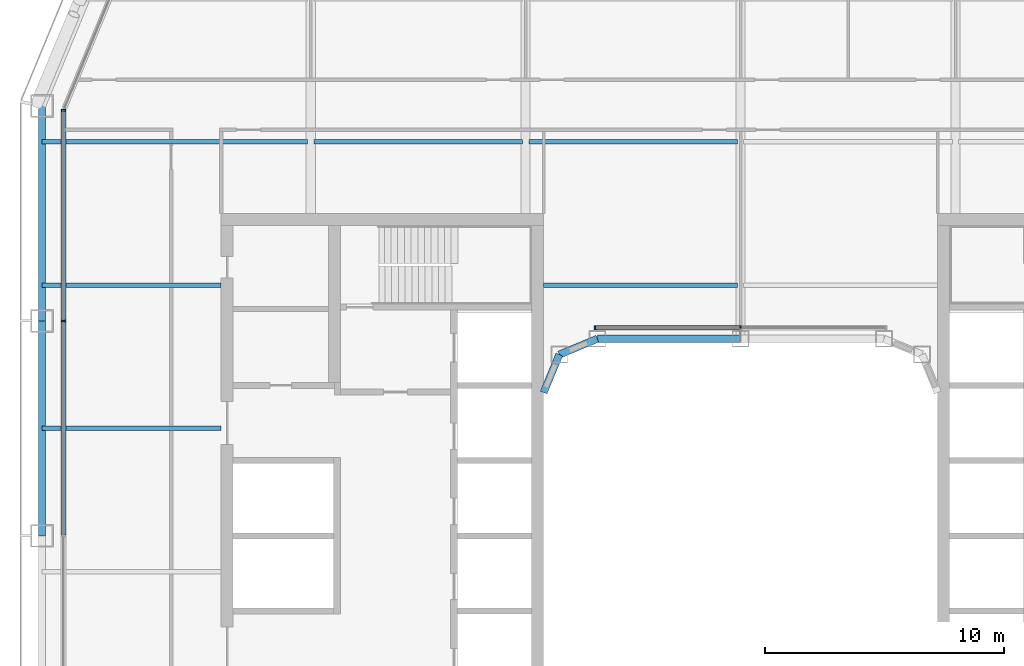
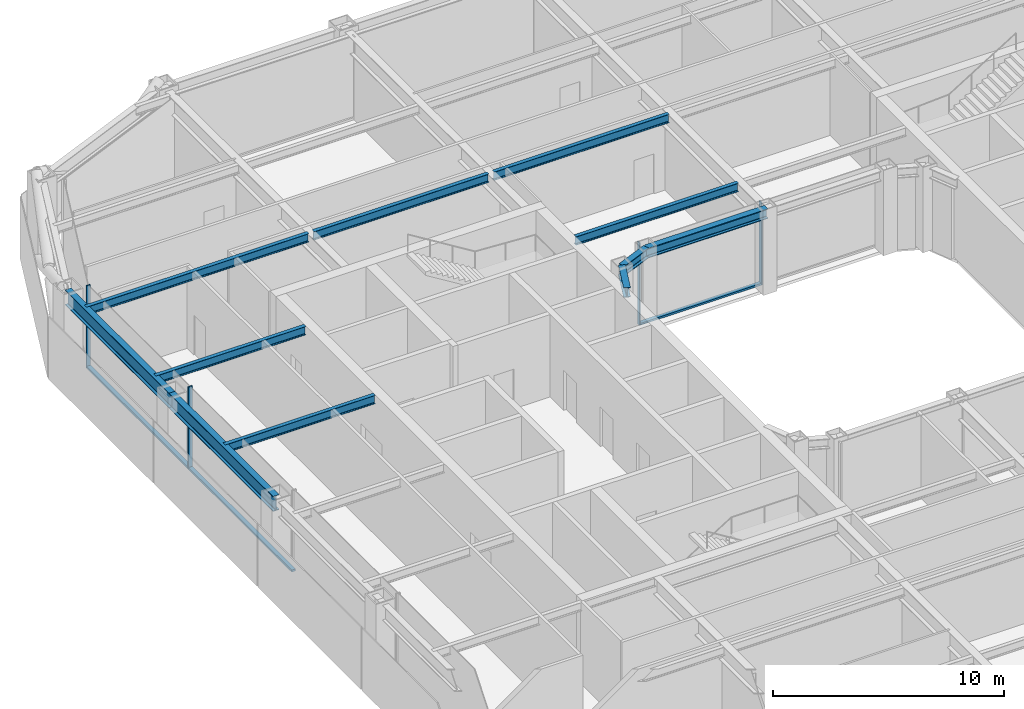
# One storey, part 6 of 21: 11 beams, 7 members, 2 elements without a shape of their own.
"""IFC4 building model written with IfcOpenShell, lengths in metres."""

from ifc_helpers import new_model, si_unit, direction, frame, origin, origin_2d, place, context, subcontext, project, spatial, rectangle, i_section, extrude, material, layer, layer_set, material_profile, profile_set, type_object, element, aggregate, save


model = new_model("IFC4")

# Units and contexts
model_context = context("Model", 3, precision=1e-05, world=origin(), true_north=direction((0.0, 1.0)))
body_context = subcontext(model_context, "Body", "Model", "MODEL_VIEW")
ifc_project = project(units=[si_unit("LENGTHUNIT", "METRE"), si_unit("AREAUNIT", "SQUARE_METRE"), si_unit("VOLUMEUNIT", "CUBIC_METRE"), si_unit("PLANEANGLEUNIT", "RADIAN"), si_unit("MASSUNIT", "GRAM", prefix="KILO")], contexts=[model_context])

# Site, building, storey
site_placement = place(None, origin())
site = spatial("IfcSite", under=ifc_project, at=site_placement, CompositionType="ELEMENT")
building_placement = place(site_placement, origin())
building = spatial("IfcBuilding", under=site, at=building_placement, Name="Siwar Civic Tower", CompositionType="ELEMENT")
storey_placement = place(building_placement, frame((0.0, 0.0, 104.699951171875)))
storey = spatial("IfcBuildingStorey", under=building, at=storey_placement, Name="L22", CompositionType="ELEMENT", Elevation=104.699951171875)

# Curtain wall, members
ifc_material_1 = material(Name="Aluminium and glass", Category="aluminium")
ifc_layer_1 = layer(ifc_material_1, 0.199951171875)
ifc_layer_set_1 = layer_set([ifc_layer_1], Name="Aluminium and glass")
curtain_wall_type_1 = type_object("IfcCurtainWallType", Name="ENV-CW-B", PredefinedType="NOTDEFINED", material=ifc_layer_set_1)
curtain_wall_1_placement = place(storey_placement, origin())
curtain_wall_1 = element("IfcCurtainWall", 1, at=curtain_wall_1_placement, inside=storey, type_object=curtain_wall_type_1, Name="Curtain wall B W", PredefinedType="NOTDEFINED")
ifc_material_2 = material(Name="Aluminium 6063-T6", Category="aluminium")
ifc_material_profile_1 = material_profile(ifc_material_2, rectangle(XDim=0.199951171875, YDim=0.06494140625, at=origin_2d()), Name="AL 200x65")
ifc_profile_set_1 = profile_set([ifc_material_profile_1], Name="Aluminium 6063-T6")
member_type_1 = type_object("IfcMemberType", Name="ENV-MULLION-B", PredefinedType="MULLION", material=ifc_profile_set_1)
member_1_placement = place(storey_placement, frame((-28.35009765625, 17.821044921875, 0.0), z_axis=(0.0, 0.0, 1.0), x_axis=(1.0, 0.0, 0.0)))
member_1 = element("IfcMember", 2, at=member_1_placement, type_object=member_type_1, Name="Mullion B W 1", PredefinedType="MULLION", context=body_context, shape_type="SweptSolid", body=[
    extrude(rectangle(XDim=0.199951171875, YDim=0.06494140625, at=origin_2d()), origin(), (0.0, 0.0, 1.0), 4.35009765625),
])
member_2_placement = place(storey_placement, frame((-28.35009765625, 9.0, 0.0), z_axis=(0.0, 0.0, 1.0), x_axis=(1.0, 0.0, 0.0)))
member_2 = element("IfcMember", 3, at=member_2_placement, type_object=member_type_1, Name="Mullion B W 2", PredefinedType="MULLION", context=body_context, shape_type="SweptSolid", body=[
    extrude(rectangle(XDim=0.199951171875, YDim=0.06494140625, at=origin_2d()), origin(), (0.0, 0.0, 1.0), 4.35009765625),
])

ifc_material_3 = material(Name="Aluminium and glass", Category="aluminium")
ifc_layer_2 = layer(ifc_material_3, 0.179931640625)
ifc_layer_set_2 = layer_set([ifc_layer_2], Name="Aluminium and glass")
curtain_wall_type_2 = type_object("IfcCurtainWallType", Name="ENV-CW-W", PredefinedType="NOTDEFINED", material=ifc_layer_set_2)
curtain_wall_2_placement = place(storey_placement, origin())
curtain_wall_2 = element("IfcCurtainWall", 4, at=curtain_wall_2_placement, inside=storey, type_object=curtain_wall_type_2, Name="Curtain wall W WN", PredefinedType="NOTDEFINED")
ifc_material_4 = material(Name="Aluminium 6063-T6", Category="aluminium")
ifc_material_profile_2 = material_profile(ifc_material_4, rectangle(XDim=0.179931640625, YDim=0.06005859375, at=origin_2d()), Name="AL 180x60")
ifc_profile_set_2 = profile_set([ifc_material_profile_2], Name="Aluminium 6063-T6")
member_type_2 = type_object("IfcMemberType", Name="ENV-MULLION-W", PredefinedType="MULLION", material=ifc_profile_set_2)
member_3_placement = place(storey_placement, frame((0.0, 8.7099609375, 0.0), z_axis=(0.0, 0.0, 1.0), x_axis=(0.0, -1.0, 0.0)))
member_3 = element("IfcMember", 5, at=member_3_placement, type_object=member_type_2, Name="Mullion W WN 2", PredefinedType="MULLION", context=body_context, shape_type="SweptSolid", body=[
    extrude(rectangle(XDim=0.179931640625, YDim=0.06005859375, at=origin_2d()), origin(), (0.0, 0.0, 1.0), 4.35009765625),
])
member_4_placement = place(storey_placement, frame((-6.091552734375, 8.7099609375, 0.0), z_axis=(0.0, 0.0, 1.0), x_axis=(0.0, -1.0, 0.0)))
member_4 = element("IfcMember", 6, at=member_4_placement, type_object=member_type_2, Name="Mullion W WN 3", PredefinedType="MULLION", context=body_context, shape_type="SweptSolid", body=[
    extrude(rectangle(XDim=0.179931640625, YDim=0.06005859375, at=origin_2d()), origin(), (0.0, 0.0, 1.0), 4.35009765625),
])

# Member
ifc_material_5 = material(Name="Aluminium 6063-T6", Category="aluminium")
ifc_material_profile_3 = material_profile(ifc_material_5, rectangle(XDim=0.199951171875, YDim=0.110107421875, at=origin_2d()), Name="AL 200x110")
ifc_profile_set_3 = profile_set([ifc_material_profile_3], Name="Aluminium 6063-T6")
member_type_3 = type_object("IfcMemberType", Name="ENV-TRANSOM-B", PredefinedType="USERDEFINED", material=ifc_profile_set_3)
member_5_placement = place(storey_placement, frame((-28.35009765625, 17.78857421875, 0.054931640625), z_axis=(0.0, -1.0, 0.0), x_axis=(1.0, 0.0, 0.0)))
member_5 = element("IfcMember", 7, at=member_5_placement, type_object=member_type_3, Name="Transom B W 1", ObjectType="TRANSOM", PredefinedType="USERDEFINED", context=body_context, shape_type="SweptSolid", body=[
    extrude(rectangle(XDim=0.199951171875, YDim=0.110107421875, at=origin_2d()), origin(), (0.0, 0.0, 1.0), 8.756103515625),
])

member_6_placement = place(storey_placement, frame((-28.35009765625, 8.967529296875, 0.054931640625), z_axis=(0.0, -1.0, 0.0), x_axis=(1.0, 0.0, 0.0)))
member_6 = element("IfcMember", 8, at=member_6_placement, type_object=member_type_3, Name="Transom B W 2", ObjectType="TRANSOM", PredefinedType="USERDEFINED", context=body_context, shape_type="SweptSolid", body=[
    extrude(rectangle(XDim=0.199951171875, YDim=0.110107421875, at=origin_2d()), origin(), (0.0, 0.0, 1.0), 8.93505859375),
])

aggregate(curtain_wall_1, [member_1, member_2, member_5, member_6])

ifc_material_6 = material(Name="Aluminium 6063-T6", Category="aluminium")
ifc_material_profile_4 = material_profile(ifc_material_6, rectangle(XDim=0.179931640625, YDim=0.10009765625, at=origin_2d()), Name="AL 180x100")
ifc_profile_set_4 = profile_set([ifc_material_profile_4], Name="Aluminium 6063-T6")
member_type_4 = type_object("IfcMemberType", Name="ENV-TRANSOM-W", PredefinedType="USERDEFINED", material=ifc_profile_set_4)
member_7_placement = place(storey_placement, frame((-0.030029296875, 8.7099609375, 0.050048828125), z_axis=(-1.0, 0.0, 0.0), x_axis=(0.0, -1.0, 0.0)))
member_7 = element("IfcMember", 9, at=member_7_placement, type_object=member_type_4, Name="Transom W WN 2", ObjectType="TRANSOM", PredefinedType="USERDEFINED", context=body_context, shape_type="SweptSolid", body=[
    extrude(rectangle(XDim=0.179931640625, YDim=0.10009765625, at=origin_2d()), origin(), (0.0, 0.0, 1.0), 6.031494140625),
])

aggregate(curtain_wall_2, [member_3, member_4, member_7])

# Beams
ifc_material_7 = material(Name="Steel S355", Category="steel")
ifc_material_profile_5 = material_profile(ifc_material_7, i_section(OverallWidth=0.18994140625, OverallDepth=0.449951171875, WebThickness=0.009521484375, FlangeThickness=0.0146484375, FilletRadius=0.02099609375, at=origin_2d()), Name="IPE450")
ifc_profile_set_5 = profile_set([ifc_material_profile_5], Name="Steel S355")
beam_type_1 = type_object("IfcBeamType", Name="STR-FB-IPE450", PredefinedType="JOIST", material=ifc_profile_set_5)
for number, where, z_axis, x_axis, name in (
    (10, (-29.25, 4.5, 4.125), (1.0, 0.0, 0.0), (0.0, 1.0, 0.0), "L22/bm/F025"),
    (11, (-29.25, 10.5, 4.125), (1.0, 0.0, 0.0), (0.0, 1.0, 0.0), "L22/bm/F027"),
):
    element("IfcBeam", number, at=place(storey_placement, frame(where, z_axis=z_axis, x_axis=x_axis)), inside=storey, type_object=beam_type_1, Name=name, PredefinedType="JOIST", context=body_context, shape_type="SweptSolid", body=[
        extrude(i_section(OverallWidth=0.18994140625, OverallDepth=0.449951171875, WebThickness=0.009521484375, FlangeThickness=0.0146484375, FilletRadius=0.02099609375, at=origin_2d()), origin(), (0.0, 0.0, 1.0), 7.5),
    ])
beam_1_placement = place(storey_placement, frame((-8.25, 10.5, 4.125), z_axis=(1.0, 0.0, 0.0), x_axis=(0.0, 1.0, 0.0)))
element("IfcBeam", 12, at=beam_1_placement, inside=storey, type_object=beam_type_1, Name="L22/bm/F028", PredefinedType="JOIST", context=body_context, shape_type="SweptSolid", body=[
    extrude(i_section(OverallWidth=0.18994140625, OverallDepth=0.449951171875, WebThickness=0.009521484375, FlangeThickness=0.0146484375, FilletRadius=0.02099609375, at=origin_2d()), origin(), (0.0, 0.0, 1.0), 8.1201171875),
])
beam_2_placement = place(storey_placement, frame((-29.25, 16.5, 4.125), z_axis=(1.0, 0.0, 0.0), x_axis=(0.0, 1.0, 0.0)))
element("IfcBeam", 13, at=beam_2_placement, inside=storey, type_object=beam_type_1, Name="L22/bm/F031", PredefinedType="JOIST", context=body_context, shape_type="SweptSolid", body=[
    extrude(i_section(OverallWidth=0.18994140625, OverallDepth=0.449951171875, WebThickness=0.009521484375, FlangeThickness=0.0146484375, FilletRadius=0.02099609375, at=origin_2d()), origin(), (0.0, 0.0, 1.0), 11.1201171875),
])
for number, where, z_axis, x_axis, name in (
    (14, (-17.8701171875, 16.5, 4.125), (1.0, 0.0, 0.0), (0.0, 1.0, 0.0), "L22/bm/F032"),
    (15, (-8.8701171875, 16.5, 4.125), (1.0, 0.0, 0.0), (0.0, 1.0, 0.0), "L22/bm/F033"),
):
    element("IfcBeam", number, at=place(storey_placement, frame(where, z_axis=z_axis, x_axis=x_axis)), inside=storey, type_object=beam_type_1, Name=name, PredefinedType="JOIST", context=body_context, shape_type="SweptSolid", body=[
        extrude(i_section(OverallWidth=0.18994140625, OverallDepth=0.449951171875, WebThickness=0.009521484375, FlangeThickness=0.0146484375, FilletRadius=0.02099609375, at=origin_2d()), origin(), (0.0, 0.0, 1.0), 8.740234375),
    ])
ifc_material_8 = material(Name="Steel S355", Category="steel")
ifc_material_profile_6 = material_profile(ifc_material_8, i_section(OverallWidth=0.305908203125, OverallDepth=0.52392578125, WebThickness=0.02099609375, FlangeThickness=0.0400390625, FilletRadius=0.027099609375, at=origin_2d()), Name="HEM500")
ifc_profile_set_6 = profile_set([ifc_material_profile_6], Name="Steel S355")
beam_type_2 = type_object("IfcBeamType", Name="STR-RB-HEM500", PredefinedType="BEAM", material=ifc_profile_set_6)
beam_3_placement = place(storey_placement, frame((-7.591064453125, 7.591064453125, 4.088134765625), z_axis=(0.923901072997, 0.382631424892, 0.0), x_axis=(-0.382631424892, 0.923901072997, 0.0)))
element("IfcBeam", 16, at=beam_3_placement, inside=storey, type_object=beam_type_2, Name="L22/bm/RN0", PredefinedType="BEAM", context=body_context, shape_type="SweptSolid", body=[
    extrude(i_section(OverallWidth=0.305908203125, OverallDepth=0.52392578125, WebThickness=0.02099609375, FlangeThickness=0.0400390625, FilletRadius=0.027099609375, at=origin_2d()), origin(), (0.0, 0.0, 1.0), 1.72216796875),
])
beam_4_placement = place(storey_placement, frame((-6.0, 8.25, 4.088134765625), z_axis=(1.0, 0.0, 0.0), x_axis=(0.0, 1.0, 0.0)))
element("IfcBeam", 17, at=beam_4_placement, inside=storey, type_object=beam_type_2, Name="L22/bm/RN1", PredefinedType="BEAM", context=body_context, shape_type="SweptSolid", body=[
    extrude(i_section(OverallWidth=0.305908203125, OverallDepth=0.52392578125, WebThickness=0.02099609375, FlangeThickness=0.0400390625, FilletRadius=0.027099609375, at=origin_2d()), origin(), (0.0, 0.0, 1.0), 6.0),
])
beam_5_placement = place(storey_placement, frame((-7.591064453125, 7.591064453125, 4.088134765625), z_axis=(-0.382631424892, -0.923901072997, 0.0), x_axis=(0.923901072997, -0.382631424892, 0.0)))
element("IfcBeam", 18, at=beam_5_placement, inside=storey, type_object=beam_type_2, Name="L22/bm/RNEW", PredefinedType="BEAM", context=body_context, shape_type="SweptSolid", body=[
    extrude(i_section(OverallWidth=0.305908203125, OverallDepth=0.52392578125, WebThickness=0.02099609375, FlangeThickness=0.0400390625, FilletRadius=0.027099609375, at=origin_2d()), origin(), (0.0, 0.0, 1.0), 1.72216796875),
])
ifc_material_9 = material(Name="Steel S355", Category="steel")
ifc_material_profile_7 = material_profile(ifc_material_9, i_section(OverallWidth=0.300048828125, OverallDepth=0.800048828125, WebThickness=0.017578125, FlangeThickness=0.032958984375, FilletRadius=0.030029296875, at=origin_2d()), Name="HEB800")
ifc_profile_set_7 = profile_set([ifc_material_profile_7], Name="Steel S355")
beam_type_3 = type_object("IfcBeamType", Name="STR-SB-HEB800", PredefinedType="BEAM", material=ifc_profile_set_7)
for number, where, z_axis, x_axis, name in (
    (19, (-29.25, 18.0, 3.949951171875), (0.0, -1.0, 0.0), (1.0, 0.0, 0.0), "L22/bm/SW-0"),
    (20, (-29.25, 9.0, 3.949951171875), (0.0, -1.0, 0.0), (1.0, 0.0, 0.0), "L22/bm/SW-1"),
):
    element("IfcBeam", number, at=place(storey_placement, frame(where, z_axis=z_axis, x_axis=x_axis)), inside=storey, type_object=beam_type_3, Name=name, PredefinedType="BEAM", context=body_context, shape_type="SweptSolid", body=[
        extrude(i_section(OverallWidth=0.300048828125, OverallDepth=0.800048828125, WebThickness=0.017578125, FlangeThickness=0.032958984375, FilletRadius=0.030029296875, at=origin_2d()), origin(), (0.0, 0.0, 1.0), 9.0),
    ])

save(model, "model.ifc")
